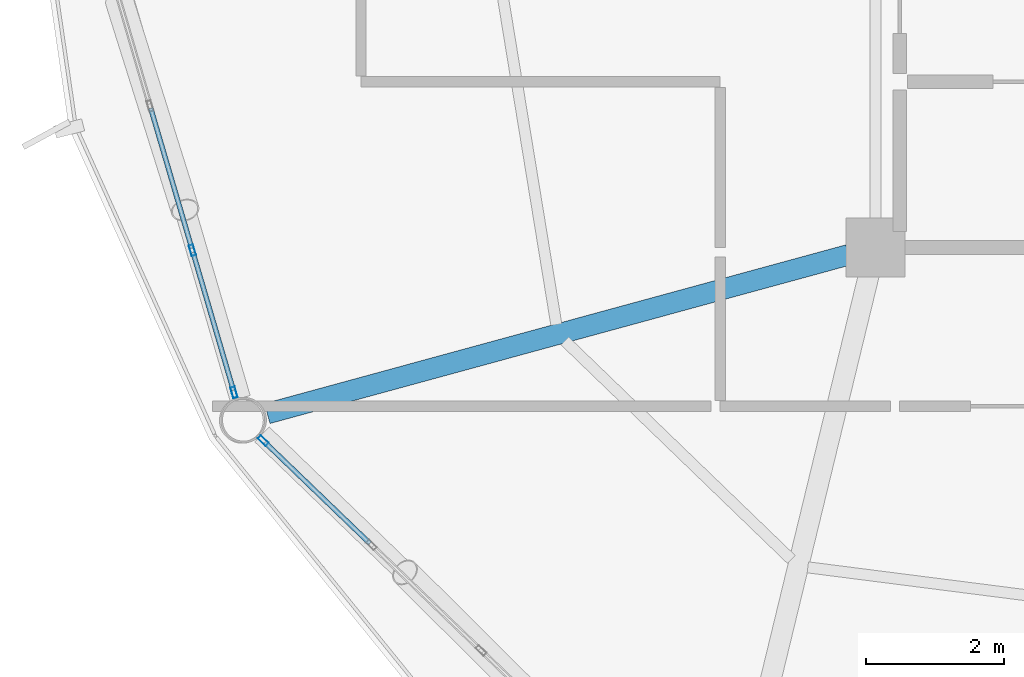
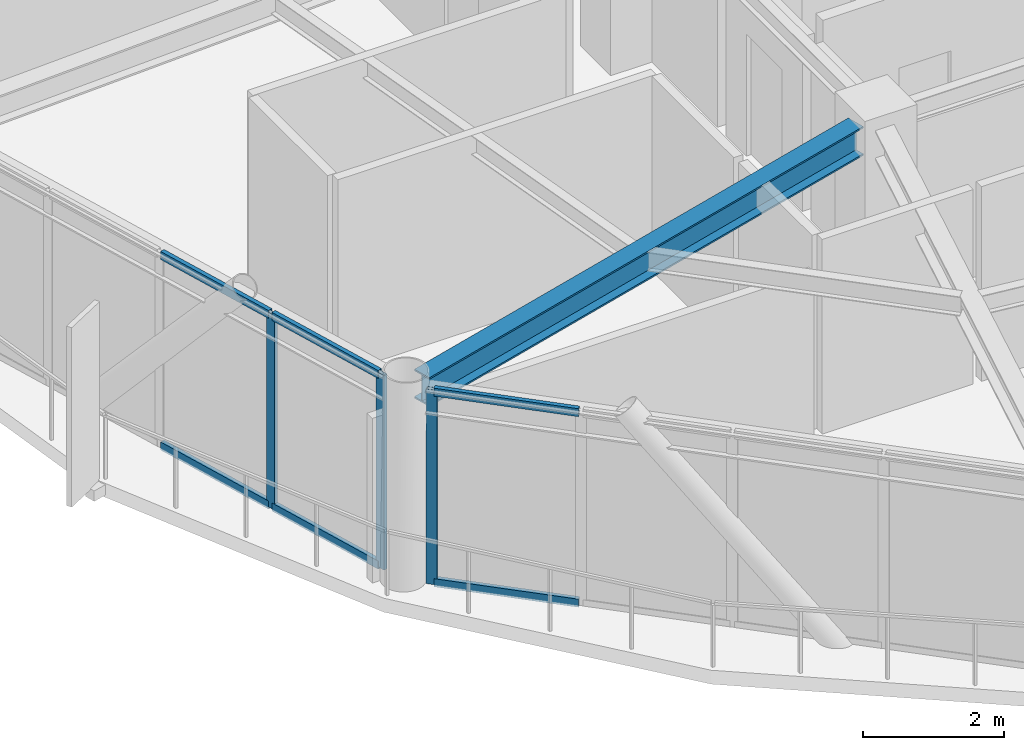
# One storey, part 4 of 26: 9 members, 1 beam, 2 elements without a shape of their own.
"""IFC4 building model written with IfcOpenShell, lengths in metres."""

from ifc_helpers import new_model, si_unit, direction, frame, origin, origin_2d, place, context, subcontext, project, spatial, hollow_rectangle, i_section, extrude, material, layer, layer_set, material_profile, profile_set, type_object, element, aggregate, save


model = new_model("IFC4")

# Units and contexts
model_context = context("Model", 3, precision=1e-05, world=origin(), true_north=direction((0.0, 1.0)))
body_context = subcontext(model_context, "Body", "Model", "MODEL_VIEW")
ifc_project = project(units=[si_unit("LENGTHUNIT", "METRE"), si_unit("AREAUNIT", "SQUARE_METRE"), si_unit("VOLUMEUNIT", "CUBIC_METRE"), si_unit("PLANEANGLEUNIT", "RADIAN"), si_unit("MASSUNIT", "GRAM", prefix="KILO")], contexts=[model_context])

# Site, building, storey
site_placement = place(None, origin())
site = spatial("IfcSite", under=ifc_project, at=site_placement, CompositionType="ELEMENT")
building_placement = place(site_placement, origin())
building = spatial("IfcBuilding", under=site, at=building_placement, Name="Varnakorn Sky Granary", CompositionType="ELEMENT")
storey_placement = place(building_placement, frame((0.0, 0.0, 218.39990234375)))
storey = spatial("IfcBuildingStorey", under=building, at=storey_placement, Name="L55", CompositionType="ELEMENT", Elevation=218.39990234375)

# Beam
ifc_material_1 = material(Name="Steel S355JR", Category="steel")
ifc_material_profile_1 = material_profile(ifc_material_1, i_section(OverallWidth=0.300048828125, OverallDepth=0.5, WebThickness=0.014404296875, FlangeThickness=0.028076171875, at=origin_2d()), Name="HE 500 B")
ifc_profile_set_1 = profile_set([ifc_material_profile_1], Name="Steel S355JR")
beam_type = type_object("IfcBeamType", Name="BM-RAD-Z4", PredefinedType="BEAM", material=ifc_profile_set_1)
beam_placement = place(storey_placement, frame((-2.74072265625, -6.706787109375, 3.110107421875), z_axis=(-0.964695979598, -0.263366032258, 0.0), x_axis=(0.263366032258, -0.964695979598, 0.0)))
element("IfcBeam", 1, at=beam_placement, inside=storey, type_object=beam_type, Name="Radial Floor Girder RG08 L55", PredefinedType="BEAM", context=body_context, shape_type="SweptSolid", body=[
    extrude(i_section(OverallWidth=0.300048828125, OverallDepth=0.5, WebThickness=0.014404296875, FlangeThickness=0.028076171875, at=origin_2d()), origin(), (0.0, 0.0, 1.0), 8.72412109375),
])

# Curtain wall, members
ifc_material_2 = material(Name="Anodised Bronze Aluminium Alloy 6063-T6", Category="aluminium")
ifc_layer = layer(ifc_material_2, 0.169921875, Name="Anodised Bronze Aluminium Alloy 6063-T6")
ifc_layer_set = layer_set([ifc_layer], Name="Anodised Bronze Aluminium Alloy 6063-T6")
curtain_wall_type = type_object("IfcCurtainWallType", Name="CW-LAB-1", PredefinedType="USERDEFINED", material=ifc_layer_set)
curtain_wall_1_placement = place(storey_placement, origin())
curtain_wall_1 = element("IfcCurtainWall", 2, at=curtain_wall_1_placement, inside=storey, type_object=curtain_wall_type, Name="Unitised Curtain Wall CW5 CW-L55-B07", ObjectType="CURTAIN WALL", PredefinedType="USERDEFINED")
ifc_material_profile_2 = material_profile(ifc_material_2, hollow_rectangle(XDim=0.06494140625, YDim=0.159912109375, WallThickness=0.00341796875, at=origin_2d()), Name="ALU MULL 65x160")
ifc_profile_set_2 = profile_set([ifc_material_profile_2], Name="Anodised Bronze Aluminium Alloy 6063-T6")
member_type_1 = type_object("IfcMemberType", Name="CW-LAB-1-MULL", PredefinedType="MULLION", material=ifc_profile_set_2)
member_1_placement = place(storey_placement, frame((-11.638427734375, -8.698974609375, 0.0), z_axis=(0.0, 0.0, 1.0), x_axis=(-0.959663971781, -0.281149535416, 0.0)))
member_1 = element("IfcMember", 3, at=member_1_placement, type_object=member_type_1, Name="CW5 mullion 1", PredefinedType="MULLION", context=body_context, shape_type="SweptSolid", body=[
    extrude(hollow_rectangle(XDim=0.06494140625, YDim=0.159912109375, WallThickness=0.00341796875, at=origin_2d()), origin(), (0.0, 0.0, 1.0), 3.360107421875),
])
member_2_placement = place(storey_placement, frame((-12.2412109375, -6.64111328125, 0.0), z_axis=(0.0, 0.0, 1.0), x_axis=(-0.959663971781, -0.281149535416, 0.0)))
member_2 = element("IfcMember", 4, at=member_2_placement, type_object=member_type_1, Name="CW5 mullion 2", PredefinedType="MULLION", context=body_context, shape_type="SweptSolid", body=[
    extrude(hollow_rectangle(XDim=0.06494140625, YDim=0.159912109375, WallThickness=0.00341796875, at=origin_2d()), origin(), (0.0, 0.0, 1.0), 3.360107421875),
])

# Curtain wall, member
curtain_wall_2_placement = place(storey_placement, origin())
curtain_wall_2 = element("IfcCurtainWall", 5, at=curtain_wall_2_placement, inside=storey, type_object=curtain_wall_type, Name="Unitised Curtain Wall CW5 CW-L55-B08", ObjectType="CURTAIN WALL", PredefinedType="USERDEFINED")
member_3_placement = place(storey_placement, frame((-11.21533203125, -9.397705078125, 0.0), z_axis=(0.0, 0.0, 1.0), x_axis=(-0.693784930795, -0.72018224763, 0.0)))
member_3 = element("IfcMember", 6, at=member_3_placement, type_object=member_type_1, Name="CW5 mullion 5", PredefinedType="MULLION", context=body_context, shape_type="SweptSolid", body=[
    extrude(hollow_rectangle(XDim=0.06494140625, YDim=0.159912109375, WallThickness=0.00341796875, at=origin_2d()), origin(), (0.0, 0.0, 1.0), 3.360107421875),
])

# Member
ifc_material_profile_3 = material_profile(ifc_material_2, hollow_rectangle(XDim=0.070068359375, YDim=0.139892578125, WallThickness=0.00341796875, at=origin_2d()), Name="ALU TRAN 70x140")
ifc_profile_set_3 = profile_set([ifc_material_profile_3], Name="Anodised Bronze Aluminium Alloy 6063-T6")
member_type_2 = type_object("IfcMemberType", Name="CW-LAB-1-TRAN", PredefinedType="USERDEFINED", material=ifc_profile_set_3)
member_4_placement = place(storey_placement, frame((-11.6474609375, -8.667724609375, 0.03515625), z_axis=(-0.281212642552, 0.959645481242, 0.0), x_axis=(-0.959645481242, -0.281212642552, 0.0)))
member_4 = element("IfcMember", 7, at=member_4_placement, type_object=member_type_2, Name="CW5 transom 1.1", ObjectType="TRANSOM", PredefinedType="USERDEFINED", context=body_context, shape_type="SweptSolid", body=[
    extrude(hollow_rectangle(XDim=0.070068359375, YDim=0.139892578125, WallThickness=0.00341796875, at=origin_2d()), origin(), (0.0, 0.0, 1.0), 2.079345703125),
])

member_5_placement = place(storey_placement, frame((-11.6474609375, -8.667724609375, 3.3251953125), z_axis=(-0.281212642552, 0.959645481242, 0.0), x_axis=(-0.959645481242, -0.281212642552, 0.0)))
member_5 = element("IfcMember", 8, at=member_5_placement, type_object=member_type_2, Name="CW5 transom 1.2", ObjectType="TRANSOM", PredefinedType="USERDEFINED", context=body_context, shape_type="SweptSolid", body=[
    extrude(hollow_rectangle(XDim=0.070068359375, YDim=0.139892578125, WallThickness=0.00341796875, at=origin_2d()), origin(), (0.0, 0.0, 1.0), 2.079345703125),
])

member_6_placement = place(storey_placement, frame((-12.25048828125, -6.610107421875, 0.03515625), z_axis=(-0.281158464891, 0.959661355698, 0.0), x_axis=(-0.959661355698, -0.281158464891, 0.0)))
member_6 = element("IfcMember", 9, at=member_6_placement, type_object=member_type_2, Name="CW5 transom 2.1", ObjectType="TRANSOM", PredefinedType="USERDEFINED", context=body_context, shape_type="SweptSolid", body=[
    extrude(hollow_rectangle(XDim=0.070068359375, YDim=0.139892578125, WallThickness=0.00341796875, at=origin_2d()), origin(), (0.0, 0.0, 1.0), 2.11181640625),
])

member_7_placement = place(storey_placement, frame((-12.25048828125, -6.610107421875, 3.3251953125), z_axis=(-0.281158464891, 0.959661355698, 0.0), x_axis=(-0.959661355698, -0.281158464891, 0.0)))
member_7 = element("IfcMember", 10, at=member_7_placement, type_object=member_type_2, Name="CW5 transom 2.2", ObjectType="TRANSOM", PredefinedType="USERDEFINED", context=body_context, shape_type="SweptSolid", body=[
    extrude(hollow_rectangle(XDim=0.070068359375, YDim=0.139892578125, WallThickness=0.00341796875, at=origin_2d()), origin(), (0.0, 0.0, 1.0), 2.11181640625),
])

aggregate(curtain_wall_1, [member_1, member_2, member_4, member_5, member_6, member_7])

member_8_placement = place(storey_placement, frame((-9.6728515625, -10.883544921875, 0.03515625), z_axis=(-0.72017883047, 0.693788477955, 0.0), x_axis=(-0.693788477955, -0.72017883047, 0.0)))
member_8 = element("IfcMember", 11, at=member_8_placement, type_object=member_type_2, Name="CW5 transom 4.1", ObjectType="TRANSOM", PredefinedType="USERDEFINED", context=body_context, shape_type="SweptSolid", body=[
    extrude(hollow_rectangle(XDim=0.070068359375, YDim=0.139892578125, WallThickness=0.00341796875, at=origin_2d()), origin(), (0.0, 0.0, 1.0), 2.109375),
])

member_9_placement = place(storey_placement, frame((-9.6728515625, -10.883544921875, 3.3251953125), z_axis=(-0.72017883047, 0.693788477955, 0.0), x_axis=(-0.693788477955, -0.72017883047, 0.0)))
member_9 = element("IfcMember", 12, at=member_9_placement, type_object=member_type_2, Name="CW5 transom 4.2", ObjectType="TRANSOM", PredefinedType="USERDEFINED", context=body_context, shape_type="SweptSolid", body=[
    extrude(hollow_rectangle(XDim=0.070068359375, YDim=0.139892578125, WallThickness=0.00341796875, at=origin_2d()), origin(), (0.0, 0.0, 1.0), 2.109375),
])

aggregate(curtain_wall_2, [member_3, member_8, member_9])

save(model, "model.ifc")
